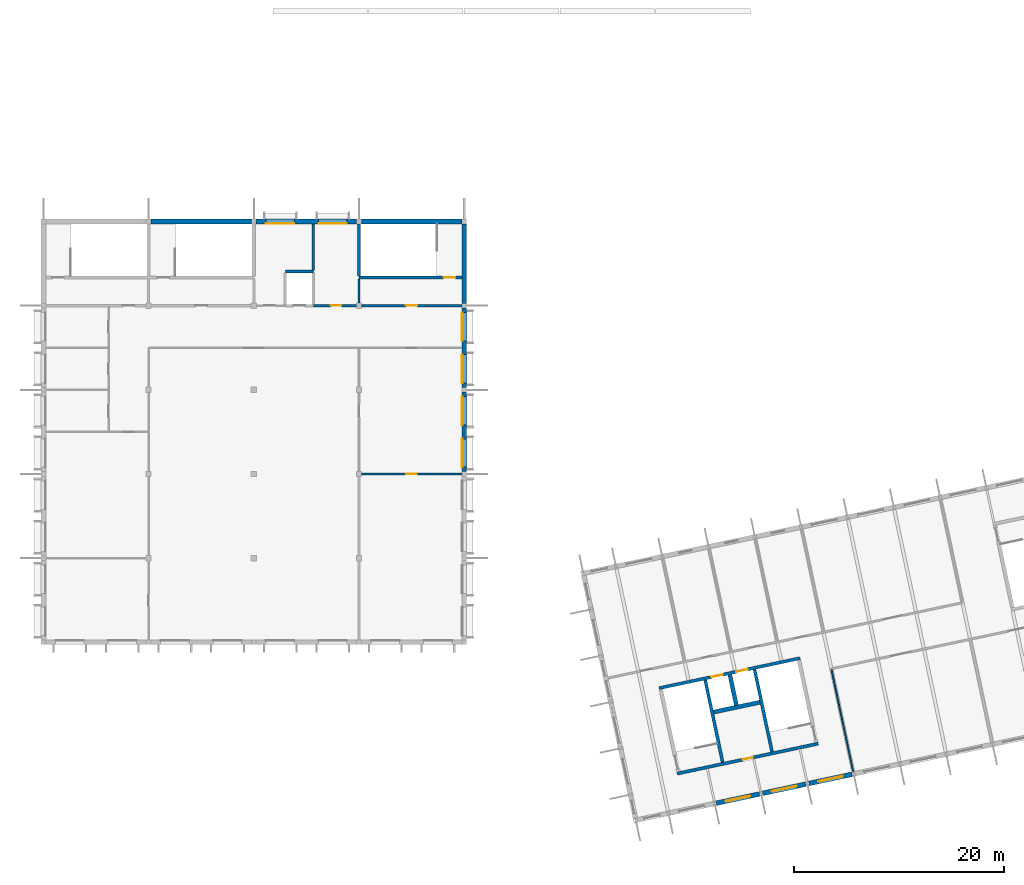
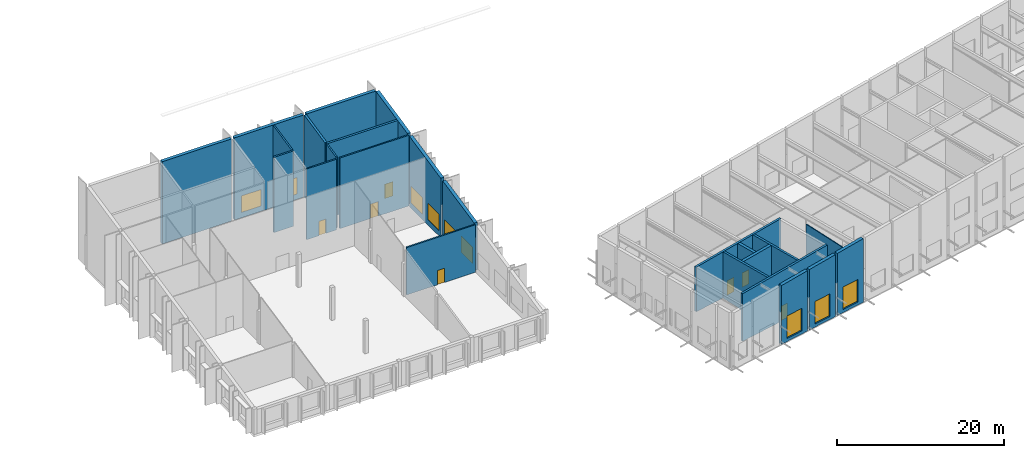
# One storey, part 40 of 69: 24 walls, 9 windows, 7 doors, 16 openings.
"""IFC4 building model written with IfcOpenShell, lengths in metres."""

from ifc_helpers import new_model, si_unit, direction, frame, frame_2d, origin, place, context, subcontext, project, spatial, polyline, rectangle, outline, extrude, material, layer, layer_set, type_object, element, fill, save


model = new_model("IFC4")

# Units and contexts
model_context = context("Model", 3, precision=1e-05, world=origin(), true_north=direction((0.0, 1.0)))
body_context = subcontext(model_context, "Body", "Model", "MODEL_VIEW")
ifc_project = project(units=[si_unit("LENGTHUNIT", "METRE"), si_unit("AREAUNIT", "SQUARE_METRE"), si_unit("VOLUMEUNIT", "CUBIC_METRE"), si_unit("PLANEANGLEUNIT", "RADIAN"), si_unit("MASSUNIT", "GRAM", prefix="KILO")], contexts=[model_context])

# Site, building, storey
site_placement = place(None, origin())
site = spatial("IfcSite", under=ifc_project, at=site_placement, CompositionType="ELEMENT")
building_placement = place(site_placement, origin())
building = spatial("IfcBuilding", under=site, at=building_placement, Name="Okhra Congress Centre", CompositionType="ELEMENT")
storey_placement = place(building_placement, frame((0.0, 0.0, 16.800048828125)))
storey = spatial("IfcBuildingStorey", under=building, at=storey_placement, Name="L03", CompositionType="ELEMENT", Elevation=16.800048828125)

# Wall, openings, windows
ifc_material_1 = material(Name="Insulated metal panel on steel stud (mineral wool, vapour barrier)", Category="steel")
ifc_layer_1 = layer(ifc_material_1, 0.449951171875)
ifc_layer_set_1 = layer_set([ifc_layer_1], Name="Insulated wall 450")
wall_type_1 = type_object("IfcWallType", Name="Insulated wall 450", PredefinedType="SOLIDWALL", material=ifc_layer_set_1)
wall_1_placement = place(storey_placement, frame((46.0, 60.22509765625, 0.0), z_axis=(0.0, 0.0, 1.0), x_axis=(0.0, 1.0, 0.0)))
wall_1 = element("IfcWall", 1, at=wall_1_placement, inside=storey, type_object=wall_type_1, Name="RS.WALL.L03.51", PredefinedType="SOLIDWALL", context=body_context, shape_type="SweptSolid", body=[
    extrude(outline(polyline([(0.0, 0.0), (7.5498046875, 0.0), (7.550048828125, 8.5947265625), (0.0, 6.98974609375), (0.0, 0.0)])), frame((0.0, 0.22509765625, 0.0), z_axis=(0.0, -1.0, 0.0), x_axis=(1.0, 0.0, 0.0)), (0.0, 0.0, 1.0), 0.449951171875),
])
opening_1_placement = place(wall_1_placement, frame((0.425048828125, 0.0, 0.800048828125)))
opening_1 = element("IfcOpeningElement", 2, at=opening_1_placement, cuts=wall_1, Name="Opening WN19", PredefinedType="OPENING", context=body_context, shape_type="SweptSolid", body=[
    extrude(rectangle(XDim=2.699951171875, YDim=2.39990234375, at=frame_2d((1.35009765625, 1.199951171875))), frame((0.0, 0.23486328125, 0.0), z_axis=(0.0, -1.0, 0.0), x_axis=(1.0, 0.0, 0.0)), (0.0, 0.0, 1.0), 0.469970703125),
])
opening_2_placement = place(wall_1_placement, frame((4.425048828125, 0.0, 0.800048828125)))
opening_2 = element("IfcOpeningElement", 3, at=opening_2_placement, cuts=wall_1, Name="Opening WN19", PredefinedType="OPENING", context=body_context, shape_type="SweptSolid", body=[
    extrude(rectangle(XDim=2.699951171875, YDim=2.39990234375, at=frame_2d((1.35009765625, 1.199951171875))), frame((0.0, 0.23486328125, 0.0), z_axis=(0.0, -1.0, 0.0), x_axis=(1.0, 0.0, 0.0)), (0.0, 0.0, 1.0), 0.469970703125),
])
ifc_material_2 = material(Name="Thermally broken aluminium frame, triple glazing", Category="aluminium")
window_type_1 = type_object("IfcWindowType", Name="Fixed window 2700x2400", PartitioningType="SINGLE_PANEL", PredefinedType="WINDOW", material=ifc_material_2)
window_1_placement = place(opening_1_placement, origin())
window_1 = element("IfcWindow", 4, at=window_1_placement, inside=storey, type_object=window_type_1, Name="RS.WIN.L03.23", OverallHeight=2.39990234375, OverallWidth=2.699951171875, PartitioningType="SINGLE_PANEL", PredefinedType="WINDOW", context=body_context, shape_type="SweptSolid", body=[
    extrude(rectangle(XDim=2.699951171875, YDim=2.39990234375, at=frame_2d((1.35009765625, 1.199951171875))), frame((0.0, 0.215087890625, 0.0), z_axis=(0.0, -1.0, 0.0), x_axis=(1.0, 0.0, 0.0)), (0.0, 0.0, 1.0), 0.06005859375),
])
fill(opening_1, window_1)
window_2_placement = place(opening_2_placement, origin())
window_2 = element("IfcWindow", 5, at=window_2_placement, inside=storey, type_object=window_type_1, Name="RS.WIN.L03.24", OverallHeight=2.39990234375, OverallWidth=2.699951171875, PartitioningType="SINGLE_PANEL", PredefinedType="WINDOW", context=body_context, shape_type="SweptSolid", body=[
    extrude(rectangle(XDim=2.699951171875, YDim=2.39990234375, at=frame_2d((1.35009765625, 1.199951171875))), frame((0.0, 0.215087890625, 0.0), z_axis=(0.0, -1.0, 0.0), x_axis=(1.0, 0.0, 0.0)), (0.0, 0.0, 1.0), 0.06005859375),
])
fill(opening_2, window_2)

wall_2_placement = place(storey_placement, frame((46.0, 68.22509765625, 0.0), z_axis=(0.0, 0.0, 1.0), x_axis=(0.0, 1.0, 0.0)))
wall_2 = element("IfcWall", 6, at=wall_2_placement, inside=storey, type_object=wall_type_1, Name="RS.WALL.L03.52", PredefinedType="SOLIDWALL", context=body_context, shape_type="SweptSolid", body=[
    extrude(outline(polyline([(0.0, 0.0), (7.5498046875, 0.0), (7.550048828125, 10.295166015625), (0.0, 8.690185546875), (0.0, 0.0)])), frame((0.0, 0.22509765625, 0.0), z_axis=(0.0, -1.0, 0.0), x_axis=(1.0, 0.0, 0.0)), (0.0, 0.0, 1.0), 0.449951171875),
])
opening_3_placement = place(wall_2_placement, frame((0.425048828125, 0.0, 0.800048828125)))
opening_3 = element("IfcOpeningElement", 7, at=opening_3_placement, cuts=wall_2, Name="Opening WN19", PredefinedType="OPENING", context=body_context, shape_type="SweptSolid", body=[
    extrude(rectangle(XDim=2.699951171875, YDim=2.39990234375, at=frame_2d((1.35009765625, 1.199951171875))), frame((0.0, 0.23486328125, 0.0), z_axis=(0.0, -1.0, 0.0), x_axis=(1.0, 0.0, 0.0)), (0.0, 0.0, 1.0), 0.469970703125),
])
opening_4_placement = place(wall_2_placement, frame((4.425048828125, 0.0, 0.800048828125)))
opening_4 = element("IfcOpeningElement", 8, at=opening_4_placement, cuts=wall_2, Name="Opening WN19", PredefinedType="OPENING", context=body_context, shape_type="SweptSolid", body=[
    extrude(rectangle(XDim=2.699951171875, YDim=2.39990234375, at=frame_2d((1.35009765625, 1.199951171875))), frame((0.0, 0.23486328125, 0.0), z_axis=(0.0, -1.0, 0.0), x_axis=(1.0, 0.0, 0.0)), (0.0, 0.0, 1.0), 0.469970703125),
])
window_3_placement = place(opening_3_placement, origin())
window_3 = element("IfcWindow", 9, at=window_3_placement, inside=storey, type_object=window_type_1, Name="RS.WIN.L03.25", OverallHeight=2.39990234375, OverallWidth=2.699951171875, PartitioningType="SINGLE_PANEL", PredefinedType="WINDOW", context=body_context, shape_type="SweptSolid", body=[
    extrude(rectangle(XDim=2.699951171875, YDim=2.39990234375, at=frame_2d((1.35009765625, 1.199951171875))), frame((0.0, 0.215087890625, 0.0), z_axis=(0.0, -1.0, 0.0), x_axis=(1.0, 0.0, 0.0)), (0.0, 0.0, 1.0), 0.06005859375),
])
fill(opening_3, window_3)
window_4_placement = place(opening_4_placement, origin())
window_4 = element("IfcWindow", 10, at=window_4_placement, inside=storey, type_object=window_type_1, Name="RS.WIN.L03.26", OverallHeight=2.39990234375, OverallWidth=2.699951171875, PartitioningType="SINGLE_PANEL", PredefinedType="WINDOW", context=body_context, shape_type="SweptSolid", body=[
    extrude(rectangle(XDim=2.699951171875, YDim=2.39990234375, at=frame_2d((1.35009765625, 1.199951171875))), frame((0.0, 0.215087890625, 0.0), z_axis=(0.0, -1.0, 0.0), x_axis=(1.0, 0.0, 0.0)), (0.0, 0.0, 1.0), 0.06005859375),
])
fill(opening_4, window_4)

# Wall, opening, window
wall_3_placement = place(storey_placement, frame((69.9609375, 28.711669921875, 0.0), z_axis=(0.0, 0.0, 1.0), x_axis=(0.978146440129, 0.207917150959, 0.0)))
wall_3 = element("IfcWall", 11, at=wall_3_placement, inside=storey, type_object=wall_type_1, Name="External wall S3 L03", PredefinedType="SOLIDWALL", context=body_context, shape_type="SweptSolid", body=[
    extrude(outline(polyline([(0.0, 0.0), (4.2001953125, 0.0), (4.199951171875, 8.834228515625), (0.0, 8.609619140625), (0.0, 0.0)])), frame((0.0, 0.22509765625, 0.0), z_axis=(0.0, -1.0, 0.0), x_axis=(1.0, 0.0, 0.0)), (0.0, 0.0, 1.0), 0.449951171875),
])
opening_5_placement = place(wall_3_placement, frame((0.89990234375, 0.0, 0.449951171875)))
opening_5 = element("IfcOpeningElement", 12, at=opening_5_placement, cuts=wall_3, Name="Opening WN21", PredefinedType="OPENING", context=body_context, shape_type="SweptSolid", body=[
    extrude(rectangle(XDim=2.39990234375, YDim=3.300048828125, at=frame_2d((1.199951171875, 1.64990234375))), frame((0.0, 0.23486328125, 0.0), z_axis=(0.0, -1.0, 0.0), x_axis=(1.0, 0.0, 0.0)), (0.0, 0.0, 1.0), 0.469970703125),
])
window_type_2 = type_object("IfcWindowType", Name="Two-light window 2400x3300", PartitioningType="DOUBLE_PANEL_VERTICAL", PredefinedType="WINDOW", material=ifc_material_2)
window_5_placement = place(opening_5_placement, origin())
window_5 = element("IfcWindow", 13, at=window_5_placement, inside=storey, type_object=window_type_2, Name="BX.WIN.L03.3", OverallHeight=3.300048828125, OverallWidth=2.39990234375, PartitioningType="DOUBLE_PANEL_VERTICAL", PredefinedType="WINDOW", context=body_context, shape_type="SweptSolid", body=[
    extrude(rectangle(XDim=2.39990234375, YDim=3.300048828125, at=frame_2d((1.199951171875, 1.64990234375))), frame((0.0, 0.030029296875, 0.0), z_axis=(0.0, -1.0, 0.0), x_axis=(1.0, 0.0, 0.0)), (0.0, 0.0, 1.0), 0.06005859375),
])
fill(opening_5, window_5)

wall_4_placement = place(storey_placement, frame((74.36279296875, 29.647216796875, 0.0), z_axis=(0.0, 0.0, 1.0), x_axis=(0.978143927149, 0.207928972925, 0.0)))
wall_4 = element("IfcWall", 14, at=wall_4_placement, inside=storey, type_object=wall_type_1, Name="External wall S4 L03", PredefinedType="SOLIDWALL", context=body_context, shape_type="SweptSolid", body=[
    extrude(outline(polyline([(0.0, 0.0), (4.199951171875, 0.0), (4.199951171875, 9.074951171875), (0.0, 8.850341796875), (0.0, 0.0)])), frame((0.0, 0.22509765625, 0.0), z_axis=(0.0, -1.0, 0.0), x_axis=(1.0, 0.0, 0.0)), (0.0, 0.0, 1.0), 0.449951171875),
])
opening_6_placement = place(wall_4_placement, frame((0.89990234375, 0.0, 0.449951171875)))
opening_6 = element("IfcOpeningElement", 15, at=opening_6_placement, cuts=wall_4, Name="Opening WN21", PredefinedType="OPENING", context=body_context, shape_type="SweptSolid", body=[
    extrude(rectangle(XDim=2.39990234375, YDim=3.300048828125, at=frame_2d((1.199951171875, 1.64990234375))), frame((0.0, 0.23486328125, 0.0), z_axis=(0.0, -1.0, 0.0), x_axis=(1.0, 0.0, 0.0)), (0.0, 0.0, 1.0), 0.469970703125),
])
window_6_placement = place(opening_6_placement, origin())
window_6 = element("IfcWindow", 16, at=window_6_placement, inside=storey, type_object=window_type_2, Name="BX.WIN.L03.4", OverallHeight=3.300048828125, OverallWidth=2.39990234375, PartitioningType="DOUBLE_PANEL_VERTICAL", PredefinedType="WINDOW", context=body_context, shape_type="SweptSolid", body=[
    extrude(rectangle(XDim=2.39990234375, YDim=3.300048828125, at=frame_2d((1.199951171875, 1.64990234375))), frame((0.0, 0.030029296875, 0.0), z_axis=(0.0, -1.0, 0.0), x_axis=(1.0, 0.0, 0.0)), (0.0, 0.0, 1.0), 0.06005859375),
])
fill(opening_6, window_6)

wall_5_placement = place(storey_placement, frame((78.764404296875, 30.582763671875, 0.0), z_axis=(0.0, 0.0, 1.0), x_axis=(0.978143927149, 0.207928972925, 0.0)))
wall_5 = element("IfcWall", 17, at=wall_5_placement, inside=storey, type_object=wall_type_1, Name="External wall S5 L03", PredefinedType="SOLIDWALL", context=body_context, shape_type="SweptSolid", body=[
    extrude(outline(polyline([(0.0, 0.0), (4.199951171875, 0.0), (4.199951171875, 9.31591796875), (0.0, 9.091064453125), (0.0, 0.0)])), frame((0.0, 0.22509765625, 0.0), z_axis=(0.0, -1.0, 0.0), x_axis=(1.0, 0.0, 0.0)), (0.0, 0.0, 1.0), 0.449951171875),
])
opening_7_placement = place(wall_5_placement, frame((0.89990234375, 0.0, 0.449951171875)))
opening_7 = element("IfcOpeningElement", 18, at=opening_7_placement, cuts=wall_5, Name="Opening WN21", PredefinedType="OPENING", context=body_context, shape_type="SweptSolid", body=[
    extrude(rectangle(XDim=2.39990234375, YDim=3.300048828125, at=frame_2d((1.199951171875, 1.64990234375))), frame((0.0, 0.23486328125, 0.0), z_axis=(0.0, -1.0, 0.0), x_axis=(1.0, 0.0, 0.0)), (0.0, 0.0, 1.0), 0.469970703125),
])
window_7_placement = place(opening_7_placement, origin())
window_7 = element("IfcWindow", 19, at=window_7_placement, inside=storey, type_object=window_type_2, Name="BX.WIN.L03.5", OverallHeight=3.300048828125, OverallWidth=2.39990234375, PartitioningType="DOUBLE_PANEL_VERTICAL", PredefinedType="WINDOW", context=body_context, shape_type="SweptSolid", body=[
    extrude(rectangle(XDim=2.39990234375, YDim=3.300048828125, at=frame_2d((1.199951171875, 1.64990234375))), frame((0.0, 0.030029296875, 0.0), z_axis=(0.0, -1.0, 0.0), x_axis=(1.0, 0.0, 0.0)), (0.0, 0.0, 1.0), 0.06005859375),
])
fill(opening_7, window_7)

# Wall, openings, windows
ifc_layer_2 = layer(ifc_material_1, 0.449951171875)
ifc_layer_set_2 = layer_set([ifc_layer_2], Name="Insulated wall 450 EI 45")
wall_type_2 = type_object("IfcWallType", Name="Insulated wall 450 EI 45", PredefinedType="SOLIDWALL", material=ifc_layer_set_2)
wall_6_placement = place(storey_placement, frame((35.77490234375, 84.0, 0.0), z_axis=(0.0, 0.0, 1.0), x_axis=(-1.0, 0.0, 0.0)))
wall_6 = element("IfcWall", 20, at=wall_6_placement, inside=storey, type_object=wall_type_2, Name="RS.WALL.L03.23", PredefinedType="SOLIDWALL", context=body_context, shape_type="SweptSolid", body=[
    extrude(rectangle(XDim=9.5498046875, YDim=0.449951171875, at=frame_2d((4.77490234375, 0.0))), origin(), (0.0, 0.0, 1.0), 12.04345703125),
])
opening_8_placement = place(wall_6_placement, frame((5.925048828125, 0.0, 0.800048828125)))
opening_8 = element("IfcOpeningElement", 21, at=opening_8_placement, cuts=wall_6, Name="Opening WN19", PredefinedType="OPENING", context=body_context, shape_type="SweptSolid", body=[
    extrude(rectangle(XDim=2.699951171875, YDim=2.39990234375, at=frame_2d((1.35009765625, 1.199951171875))), frame((0.0, 0.23486328125, 0.0), z_axis=(0.0, -1.0, 0.0), x_axis=(1.0, 0.0, 0.0)), (0.0, 0.0, 1.0), 0.469970703125),
])
opening_9_placement = place(wall_6_placement, frame((0.925048828125, 0.0, 0.800048828125)))
opening_9 = element("IfcOpeningElement", 22, at=opening_9_placement, cuts=wall_6, Name="Opening WN19", PredefinedType="OPENING", context=body_context, shape_type="SweptSolid", body=[
    extrude(rectangle(XDim=2.699951171875, YDim=2.39990234375, at=frame_2d((1.35009765625, 1.199951171875))), frame((0.0, 0.23486328125, 0.0), z_axis=(0.0, -1.0, 0.0), x_axis=(1.0, 0.0, 0.0)), (0.0, 0.0, 1.0), 0.469970703125),
])
window_8_placement = place(opening_8_placement, origin())
window_8 = element("IfcWindow", 23, at=window_8_placement, inside=storey, type_object=window_type_1, Name="RS.WIN.L03.9", OverallHeight=2.39990234375, OverallWidth=2.699951171875, PartitioningType="SINGLE_PANEL", PredefinedType="WINDOW", context=body_context, shape_type="SweptSolid", body=[
    extrude(rectangle(XDim=2.699951171875, YDim=2.39990234375, at=frame_2d((1.35009765625, 1.199951171875))), frame((0.0, 0.215087890625, 0.0), z_axis=(0.0, -1.0, 0.0), x_axis=(1.0, 0.0, 0.0)), (0.0, 0.0, 1.0), 0.06005859375),
])
fill(opening_8, window_8)
window_9_placement = place(opening_9_placement, origin())
window_9 = element("IfcWindow", 24, at=window_9_placement, inside=storey, type_object=window_type_1, Name="RS.WIN.L03.10", OverallHeight=2.39990234375, OverallWidth=2.699951171875, PartitioningType="SINGLE_PANEL", PredefinedType="WINDOW", context=body_context, shape_type="SweptSolid", body=[
    extrude(rectangle(XDim=2.699951171875, YDim=2.39990234375, at=frame_2d((1.35009765625, 1.199951171875))), frame((0.0, 0.215087890625, 0.0), z_axis=(0.0, -1.0, 0.0), x_axis=(1.0, 0.0, 0.0)), (0.0, 0.0, 1.0), 0.06005859375),
])
fill(opening_9, window_9)

# Wall, opening, door
ifc_material_3 = material(Name="Masonry blockwork (aerated concrete D500)", Category="masonry")
ifc_layer_3 = layer(ifc_material_3, 0.199951171875)
ifc_layer_set_3 = layer_set([ifc_layer_3], Name="Masonry block wall 200 EI 45")
wall_type_3 = type_object("IfcWallType", Name="Masonry block wall 200 EI 45", PredefinedType="SOLIDWALL", material=ifc_layer_set_3)
wall_7_placement = place(storey_placement, frame((36.25, 60.0, 0.0), z_axis=(0.0, 0.0, 1.0), x_axis=(1.0, 0.0, 0.0)))
wall_7 = element("IfcWall", 25, at=wall_7_placement, inside=storey, type_object=wall_type_3, Name="RS.WALL.L03.6", PredefinedType="SOLIDWALL", context=body_context, shape_type="SweptSolid", body=[
    extrude(rectangle(XDim=9.52490234375, YDim=0.199951171875, at=frame_2d((4.762451171875, 0.0))), origin(), (0.0, 0.0, 1.0), 6.94189453125),
])
opening_10_placement = place(wall_7_placement, frame((4.25, 0.0, 0.0)))
opening_10 = element("IfcOpeningElement", 26, at=opening_10_placement, cuts=wall_7, Name="Opening L03-015", PredefinedType="OPENING", context=body_context, shape_type="SweptSolid", body=[
    extrude(rectangle(XDim=1.0, YDim=2.10009765625, at=frame_2d((0.5, 1.050048828125))), frame((0.0, 0.10986328125, 0.0), z_axis=(0.0, -1.0, 0.0), x_axis=(1.0, 0.0, 0.0)), (0.0, 0.0, 1.0), 0.219970703125),
])
ifc_material_4 = material(Name="Steel fire door leaf in steel frame, intumescent seals", Category="steel")
door_type_1 = type_object("IfcDoorType", Name="Steel fire door 1000x2100 EI 30", OperationType="NOTDEFINED", PredefinedType="DOOR", material=ifc_material_4)
door_1_placement = place(opening_10_placement, origin())
door_1 = element("IfcDoor", 27, at=door_1_placement, inside=storey, type_object=door_type_1, Name="Door L03-015", OperationType="SINGLE_SWING_LEFT", OverallHeight=2.10009765625, OverallWidth=1.0, PredefinedType="DOOR", context=body_context, shape_type="SweptSolid", body=[
    extrude(rectangle(XDim=1.0, YDim=2.10009765625, at=frame_2d((0.5, 1.050048828125))), frame((0.0, 0.02490234375, 0.0), z_axis=(0.0, -1.0, 0.0), x_axis=(1.0, 0.0, 0.0)), (0.0, 0.0, 1.0), 0.050048828125),
])
fill(opening_10, door_1)

wall_8_placement = place(storey_placement, frame((31.64990234375, 76.0, 0.0), z_axis=(0.0, 0.0, 1.0), x_axis=(1.0, 0.0, 0.0)))
wall_8 = element("IfcWall", 28, at=wall_8_placement, inside=storey, type_object=wall_type_3, Name="RS.WALL.L03.16", PredefinedType="SOLIDWALL", context=body_context, shape_type="SweptSolid", body=[
    extrude(rectangle(XDim=4.10009765625, YDim=0.199951171875, at=frame_2d((2.050048828125, 0.0))), origin(), (0.0, 0.0, 1.0), 10.3427734375),
])
opening_11_placement = place(wall_8_placement, frame((1.675048828125, 0.0, 0.0)))
opening_11 = element("IfcOpeningElement", 29, at=opening_11_placement, cuts=wall_8, Name="Opening L03-017", PredefinedType="OPENING", context=body_context, shape_type="SweptSolid", body=[
    extrude(rectangle(XDim=1.0, YDim=2.10009765625, at=frame_2d((0.5, 1.050048828125))), frame((0.0, 0.10986328125, 0.0), z_axis=(0.0, -1.0, 0.0), x_axis=(1.0, 0.0, 0.0)), (0.0, 0.0, 1.0), 0.219970703125),
])
door_2_placement = place(opening_11_placement, frame((1.0, 0.0, 0.0), z_axis=(0.0, 0.0, 1.0), x_axis=(-1.0, 0.0, 0.0)))
door_2 = element("IfcDoor", 30, at=door_2_placement, inside=storey, type_object=door_type_1, Name="Door L03-017", OperationType="SINGLE_SWING_RIGHT", OverallHeight=2.10009765625, OverallWidth=1.0, PredefinedType="DOOR", context=body_context, shape_type="SweptSolid", body=[
    extrude(rectangle(XDim=1.0, YDim=2.10009765625, at=frame_2d((0.5, 1.050048828125))), frame((0.0, 0.02490234375, 0.0), z_axis=(0.0, -1.0, 0.0), x_axis=(1.0, 0.0, 0.0)), (0.0, 0.0, 1.0), 0.050048828125),
])
fill(opening_11, door_2)

wall_9_placement = place(storey_placement, frame((36.25, 76.0, 0.0), z_axis=(0.0, 0.0, 1.0), x_axis=(1.0, 0.0, 0.0)))
wall_9 = element("IfcWall", 31, at=wall_9_placement, inside=storey, type_object=wall_type_3, Name="RS.WALL.L03.17", PredefinedType="SOLIDWALL", context=body_context, shape_type="SweptSolid", body=[
    extrude(rectangle(XDim=9.52490234375, YDim=0.199951171875, at=frame_2d((4.762451171875, 0.0))), origin(), (0.0, 0.0, 1.0), 10.3427734375),
])
opening_12_placement = place(wall_9_placement, frame((4.199951171875, 0.0, 0.0)))
opening_12 = element("IfcOpeningElement", 32, at=opening_12_placement, cuts=wall_9, Name="Opening L03-005", PredefinedType="OPENING", context=body_context, shape_type="SweptSolid", body=[
    extrude(rectangle(XDim=1.10009765625, YDim=2.10009765625, at=frame_2d((0.550048828125, 1.050048828125))), frame((0.0, 0.10986328125, 0.0), z_axis=(0.0, -1.0, 0.0), x_axis=(1.0, 0.0, 0.0)), (0.0, 0.0, 1.0), 0.219970703125),
])
door_type_2 = type_object("IfcDoorType", Name="Steel fire door 1100x2100 EI 30", OperationType="NOTDEFINED", PredefinedType="DOOR", material=ifc_material_4)
door_3_placement = place(opening_12_placement, origin())
door_3 = element("IfcDoor", 33, at=door_3_placement, inside=storey, type_object=door_type_2, Name="Door L03-005", OperationType="SINGLE_SWING_LEFT", OverallHeight=2.10009765625, OverallWidth=1.10009765625, PredefinedType="DOOR", context=body_context, shape_type="SweptSolid", body=[
    extrude(rectangle(XDim=1.10009765625, YDim=2.10009765625, at=frame_2d((0.550048828125, 1.050048828125))), frame((0.0, 0.02490234375, 0.0), z_axis=(0.0, -1.0, 0.0), x_axis=(1.0, 0.0, 0.0)), (0.0, 0.0, 1.0), 0.050048828125),
])
fill(opening_12, door_3)

# Walls
wall_10_placement = place(storey_placement, frame((31.64990234375, 79.375, 0.0), z_axis=(0.0, 0.0, 1.0), x_axis=(0.0, 1.0, 0.0)))
element("IfcWall", 34, at=wall_10_placement, inside=storey, type_object=wall_type_3, Name="RS.WALL.L03.42", PredefinedType="SOLIDWALL", context=body_context, shape_type="SweptSolid", body=[
    extrude(outline(polyline([(0.0, 0.0), (4.39990234375, 0.0), (4.39990234375, 11.99560546875), (0.0, 11.060302734375), (0.0, 0.0)])), frame((0.0, 0.10009765625, 0.0), z_axis=(0.0, -1.0, 0.0), x_axis=(1.0, 0.0, 0.0)), (0.0, 0.0, 1.0), 0.199951171875),
])
wall_11_placement = place(storey_placement, frame((36.0, 76.25, 0.0), z_axis=(0.0, 0.0, 1.0), x_axis=(0.0, 1.0, 0.0)))
element("IfcWall", 35, at=wall_11_placement, inside=storey, type_object=wall_type_3, Name="RS.WALL.L03.47", PredefinedType="SOLIDWALL", context=body_context, shape_type="SweptSolid", body=[
    extrude(outline(polyline([(0.0, 0.0), (2.27490234375, 0.0), (2.27490234375, 10.879638671875), (0.0, 10.39599609375), (0.0, 0.0)])), frame((0.0, 0.10009765625, 0.0), z_axis=(0.0, -1.0, 0.0), x_axis=(1.0, 0.0, 0.0)), (0.0, 0.0, 1.0), 0.199951171875),
])
ifc_material_5 = material(Name="Gypsum board on steel studs", Category="steel")
ifc_layer_4 = layer(ifc_material_5, 0.125)
ifc_layer_set_4 = layer_set([ifc_layer_4], Name="Partition 125")
wall_type_4 = type_object("IfcWallType", Name="Partition 125", PredefinedType="PARTITIONING", material=ifc_layer_set_4)
wall_12_placement = place(storey_placement, frame((82.972412109375, 31.707275390625, 0.0), z_axis=(0.0, 0.0, 1.0), x_axis=(-0.207904355568, 0.978149159861, 0.0)))
element("IfcWall", 36, at=wall_12_placement, inside=storey, type_object=wall_type_4, Name="Partition S L03", PredefinedType="PARTITIONING", context=body_context, shape_type="SweptSolid", body=[
    extrude(outline(polyline([(0.0, 0.0), (9.925048828125, 0.0), (9.925048828125, 5.97314453125), (0.0, 5.97314453125), (0.0, 0.0)])), frame((0.0, 0.0625, 0.0), z_axis=(0.0, -1.0, 0.0), x_axis=(1.0, 0.0, 0.0)), (0.0, 0.0, 1.0), 0.125),
])

# Wall, opening, door
ifc_material_6 = material(Name="Concrete C35/45", Category="concrete")
ifc_layer_5 = layer(ifc_material_6, 0.300048828125)
ifc_layer_set_5 = layer_set([ifc_layer_5], Name="RC core wall 300 REI 120 C35/45")
wall_type_5 = type_object("IfcWallType", Name="RC core wall 300 REI 120 C35/45", PredefinedType="SHEAR", material=ifc_layer_set_5)
wall_13_placement = place(storey_placement, frame((66.244873046875, 31.525390625, 0.0), z_axis=(0.0, 0.0, 1.0), x_axis=(0.978147662755, 0.20791139903, 0.0)))
wall_13 = element("IfcWall", 37, at=wall_13_placement, inside=storey, type_object=wall_type_5, Name="BX.WALL.L03.K1S", PredefinedType="SHEAR", context=body_context, shape_type="SweptSolid", body=[
    extrude(outline(polyline([(0.0, 0.0), (13.699951171875, 0.0), (13.699951171875, 7.694580078125), (0.0, 6.961669921875), (0.0, 0.0)])), frame((0.0, 0.14990234375, 0.0), z_axis=(0.0, -1.0, 0.0), x_axis=(1.0, 0.0, 0.0)), (0.0, 0.0, 1.0), 0.300048828125),
])
opening_13_placement = place(wall_13_placement, frame((6.35009765625, 0.0, 0.0)))
opening_13 = element("IfcOpeningElement", 38, at=opening_13_placement, cuts=wall_13, Name="Opening L03-023", PredefinedType="OPENING", context=body_context, shape_type="SweptSolid", body=[
    extrude(rectangle(XDim=1.0, YDim=2.10009765625, at=frame_2d((0.5, 1.050048828125))), frame((0.0, 0.159912109375, 0.0), z_axis=(0.0, -1.0, 0.0), x_axis=(1.0, 0.0, 0.0)), (0.0, 0.0, 1.0), 0.320068359375),
])
door_4_placement = place(opening_13_placement, origin())
door_4 = element("IfcDoor", 39, at=door_4_placement, inside=storey, type_object=door_type_1, Name="Door L03-023", OperationType="SINGLE_SWING_RIGHT", OverallHeight=2.10009765625, OverallWidth=1.0, PredefinedType="DOOR", context=body_context, shape_type="SweptSolid", body=[
    extrude(rectangle(XDim=1.0, YDim=2.10009765625, at=frame_2d((0.5, 1.050048828125))), frame((0.0, 0.02490234375, 0.0), z_axis=(0.0, -1.0, 0.0), x_axis=(1.0, 0.0, 0.0)), (0.0, 0.0, 1.0), 0.050048828125),
])
fill(opening_13, door_4)

# Wall, openings, doors
wall_14_placement = place(storey_placement, frame((64.51904296875, 39.64404296875, 0.0), z_axis=(0.0, 0.0, 1.0), x_axis=(0.978147662755, 0.20791139903, 0.0)))
wall_14 = element("IfcWall", 40, at=wall_14_placement, inside=storey, type_object=wall_type_5, Name="BX.WALL.L03.K1T", PredefinedType="SHEAR", context=body_context, shape_type="SweptSolid", body=[
    extrude(outline(polyline([(0.0, 0.0), (13.699951171875, 0.0), (13.699951171875, 7.259765625), (0.0, 6.526611328125), (0.0, 0.0)])), frame((0.0, 0.14990234375, 0.0), z_axis=(0.0, -1.0, 0.0), x_axis=(1.0, 0.0, 0.0)), (0.0, 0.0, 1.0), 0.300048828125),
])
opening_14_placement = place(wall_14_placement, frame((5.10009765625, 0.0, 0.0)))
opening_14 = element("IfcOpeningElement", 41, at=opening_14_placement, cuts=wall_14, Name="Opening L03-019", PredefinedType="OPENING", context=body_context, shape_type="SweptSolid", body=[
    extrude(rectangle(XDim=1.10009765625, YDim=2.10009765625, at=frame_2d((0.550048828125, 1.050048828125))), frame((0.0, 0.159912109375, 0.0), z_axis=(0.0, -1.0, 0.0), x_axis=(1.0, 0.0, 0.0)), (0.0, 0.0, 1.0), 0.320068359375),
])
opening_15_placement = place(wall_14_placement, frame((7.5, 0.0, 0.0)))
opening_15 = element("IfcOpeningElement", 42, at=opening_15_placement, cuts=wall_14, Name="Opening L03-020", PredefinedType="OPENING", context=body_context, shape_type="SweptSolid", body=[
    extrude(rectangle(XDim=1.10009765625, YDim=2.10009765625, at=frame_2d((0.550048828125, 1.050048828125))), frame((0.0, 0.159912109375, 0.0), z_axis=(0.0, -1.0, 0.0), x_axis=(1.0, 0.0, 0.0)), (0.0, 0.0, 1.0), 0.320068359375),
])
ifc_material_7 = material(Name="Stainless steel sliding landing door leaves", Category="steel")
door_type_3 = type_object("IfcDoorType", Name="Lift landing door 1100x2100 EI 30", OperationType="DOUBLE_DOOR_SLIDING", PredefinedType="DOOR", material=ifc_material_7)
door_5_placement = place(opening_14_placement, origin())
door_5 = element("IfcDoor", 43, at=door_5_placement, inside=storey, type_object=door_type_3, Name="Door L03-019", OperationType="DOUBLE_DOOR_SLIDING", OverallHeight=2.10009765625, OverallWidth=1.10009765625, PredefinedType="DOOR", context=body_context, shape_type="SweptSolid", body=[
    extrude(rectangle(XDim=1.10009765625, YDim=2.10009765625, at=frame_2d((0.550048828125, 1.050048828125))), frame((0.0, 0.02490234375, 0.0), z_axis=(0.0, -1.0, 0.0), x_axis=(1.0, 0.0, 0.0)), (0.0, 0.0, 1.0), 0.050048828125),
])
fill(opening_14, door_5)
door_6_placement = place(opening_15_placement, origin())
door_6 = element("IfcDoor", 44, at=door_6_placement, inside=storey, type_object=door_type_3, Name="Door L03-020", OperationType="DOUBLE_DOOR_SLIDING", OverallHeight=2.10009765625, OverallWidth=1.10009765625, PredefinedType="DOOR", context=body_context, shape_type="SweptSolid", body=[
    extrude(rectangle(XDim=1.10009765625, YDim=2.10009765625, at=frame_2d((0.550048828125, 1.050048828125))), frame((0.0, 0.02490234375, 0.0), z_axis=(0.0, -1.0, 0.0), x_axis=(1.0, 0.0, 0.0)), (0.0, 0.0, 1.0), 0.050048828125),
])
fill(opening_15, door_6)

# Walls
wall_15_placement = place(storey_placement, frame((70.56640625, 32.597412109375, 0.0), z_axis=(0.0, 0.0, 1.0), x_axis=(-0.207915693476, 0.978146749934, 0.0)))
element("IfcWall", 45, at=wall_15_placement, inside=storey, type_object=wall_type_5, Name="BX.WALL.L03.K1P1", PredefinedType="SHEAR", context=body_context, shape_type="SweptSolid", body=[
    extrude(outline(polyline([(0.0, 0.0), (8.0, 0.0), (8.0, 6.772705078125), (0.0, 7.19189453125), (0.0, 0.0)])), frame((0.0, 0.14990234375, 0.0), z_axis=(0.0, -1.0, 0.0), x_axis=(1.0, 0.0, 0.0)), (0.0, 0.0, 1.0), 0.300048828125),
])
wall_16_placement = place(storey_placement, frame((75.261474609375, 33.595458984375, 0.0), z_axis=(0.0, 0.0, 1.0), x_axis=(-0.207915693476, 0.978146749934, 0.0)))
element("IfcWall", 46, at=wall_16_placement, inside=storey, type_object=wall_type_5, Name="BX.WALL.L03.K1P2", PredefinedType="SHEAR", context=body_context, shape_type="SweptSolid", body=[
    extrude(outline(polyline([(0.0, 0.0), (8.0, 0.0), (8.0, 7.029541015625), (0.0, 7.44873046875), (0.0, 0.0)])), frame((0.0, 0.14990234375, 0.0), z_axis=(0.0, -1.0, 0.0), x_axis=(1.0, 0.0, 0.0)), (0.0, 0.0, 1.0), 0.300048828125),
])

# Wall, opening, door
wall_17_placement = place(storey_placement, frame((36.0, 78.675048828125, 0.0), z_axis=(0.0, 0.0, 1.0), x_axis=(1.0, 0.0, 0.0)))
wall_17 = element("IfcWall", 47, at=wall_17_placement, inside=storey, type_object=wall_type_5, Name="RS.WALL.L03.19", PredefinedType="SHEAR", context=body_context, shape_type="SweptSolid", body=[
    extrude(rectangle(XDim=9.77490234375, YDim=0.300048828125, at=frame_2d((4.887451171875, 0.0))), origin(), (0.0, 0.0, 1.0), 10.911376953125),
])
opening_16_placement = place(wall_17_placement, frame((8.050048828125, 0.0, 0.0)))
opening_16 = element("IfcOpeningElement", 48, at=opening_16_placement, cuts=wall_17, Name="Opening L03-006", PredefinedType="OPENING", context=body_context, shape_type="SweptSolid", body=[
    extrude(rectangle(XDim=1.10009765625, YDim=2.10009765625, at=frame_2d((0.550048828125, 1.050048828125))), frame((0.0, 0.159912109375, 0.0), z_axis=(0.0, -1.0, 0.0), x_axis=(1.0, 0.0, 0.0)), (0.0, 0.0, 1.0), 0.320068359375),
])
door_7_placement = place(opening_16_placement, origin())
door_7 = element("IfcDoor", 49, at=door_7_placement, inside=storey, type_object=door_type_2, Name="Door L03-006", OperationType="SINGLE_SWING_RIGHT", OverallHeight=2.10009765625, OverallWidth=1.10009765625, PredefinedType="DOOR", context=body_context, shape_type="SweptSolid", body=[
    extrude(rectangle(XDim=1.10009765625, YDim=2.10009765625, at=frame_2d((0.550048828125, 1.050048828125))), frame((0.0, 0.02490234375, 0.0), z_axis=(0.0, -1.0, 0.0), x_axis=(1.0, 0.0, 0.0)), (0.0, 0.0, 1.0), 0.050048828125),
])
fill(opening_16, door_7)

# Walls
wall_18_placement = place(storey_placement, frame((36.0, 78.824951171875, 0.0), z_axis=(0.0, 0.0, 1.0), x_axis=(0.0, 1.0, 0.0)))
element("IfcWall", 50, at=wall_18_placement, inside=storey, type_object=wall_type_5, Name="RS.WALL.L03.48", PredefinedType="SHEAR", context=body_context, shape_type="SweptSolid", body=[
    extrude(outline(polyline([(0.0, 0.0), (4.949951171875, 0.0), (4.949951171875, 11.99560546875), (0.0, 10.943359375), (0.0, 0.0)])), frame((0.0, 0.14990234375, 0.0), z_axis=(0.0, -1.0, 0.0), x_axis=(1.0, 0.0, 0.0)), (0.0, 0.0, 1.0), 0.300048828125),
])
ifc_layer_6 = layer(ifc_material_6, 0.39990234375)
ifc_layer_set_6 = layer_set([ifc_layer_6], Name="RC core wall 400 REI 120 C35/45")
wall_type_6 = type_object("IfcWallType", Name="RC core wall 400 REI 120 C35/45", PredefinedType="SHEAR", material=ifc_layer_set_6)
wall_19_placement = place(storey_placement, frame((71.874267578125, 37.987060546875, 0.0), z_axis=(0.0, 0.0, 1.0), x_axis=(-0.20783929028, 0.978162987143, 0.0)))
element("IfcWall", 51, at=wall_19_placement, inside=storey, type_object=wall_type_6, Name="BX.WALL.L03.K1D", PredefinedType="SHEAR", context=body_context, shape_type="SweptSolid", body=[
    extrude(outline(polyline([(0.0, 0.0), (3.0, 0.0), (3.0, 6.901123046875), (0.0, 7.058349609375), (0.0, 0.0)])), frame((0.0, 0.199951171875, 0.0), z_axis=(0.0, -1.0, 0.0), x_axis=(1.0, 0.0, 0.0)), (0.0, 0.0, 1.0), 0.39990234375),
])
wall_20_placement = place(storey_placement, frame((69.704833984375, 37.37255859375, 0.0), z_axis=(0.0, 0.0, 1.0), x_axis=(0.978149611564, 0.20790223038, 0.0)))
element("IfcWall", 52, at=wall_20_placement, inside=storey, type_object=wall_type_6, Name="BX.WALL.L03.K1R", PredefinedType="SHEAR", context=body_context, shape_type="SweptSolid", body=[
    extrude(outline(polyline([(0.0, 0.0), (4.5, 0.0), (4.5, 7.1865234375), (0.0, 6.94580078125), (0.0, 0.0)])), frame((0.0, 0.199951171875, 0.0), z_axis=(0.0, -1.0, 0.0), x_axis=(1.0, 0.0, 0.0)), (0.0, 0.0, 1.0), 0.39990234375),
])
ifc_material_8 = material(Name="Concrete C30/37", Category="concrete")
ifc_layer_7 = layer(ifc_material_8, 0.449951171875)
ifc_layer_set_7 = layer_set([ifc_layer_7], Name="RC facade wall 450 REI 120 C30/37")
wall_type_7 = type_object("IfcWallType", Name="RC facade wall 450 REI 120 C30/37", PredefinedType="SOLIDWALL", material=ifc_layer_set_7)
for number, where, z_axis, x_axis, name in (
    (53, (25.77490234375, 84.0, 0.0), (0.0, 0.0, 1.0), (-1.0, 0.0, 0.0), "RS.WALL.L03.22"),
    (54, (45.77490234375, 84.0, 0.0), (0.0, 0.0, 1.0), (-1.0, 0.0, 0.0), "RS.WALL.L03.24"),
):
    element("IfcWall", number, at=place(storey_placement, frame(where, z_axis=z_axis, x_axis=x_axis)), inside=storey, type_object=wall_type_7, Name=name, PredefinedType="SOLIDWALL", context=body_context, shape_type="SweptSolid", body=[
        extrude(rectangle(XDim=9.5498046875, YDim=0.449951171875, at=frame_2d((4.77490234375, 0.0))), origin(), (0.0, 0.0, 1.0), 12.04345703125),
    ])
wall_21_placement = place(storey_placement, frame((46.0, 76.22509765625, 0.0), z_axis=(0.0, 0.0, 1.0), x_axis=(0.0, 1.0, 0.0)))
element("IfcWall", 55, at=wall_21_placement, inside=storey, type_object=wall_type_7, Name="RS.WALL.L03.53", PredefinedType="SOLIDWALL", context=body_context, shape_type="SweptSolid", body=[
    extrude(outline(polyline([(0.0, 0.0), (7.5498046875, 0.0), (7.550048828125, 11.99560546875), (0.0, 10.390625), (0.0, 0.0)])), frame((0.0, 0.22509765625, 0.0), z_axis=(0.0, -1.0, 0.0), x_axis=(1.0, 0.0, 0.0)), (0.0, 0.0, 1.0), 0.449951171875),
])
ifc_layer_8 = layer(ifc_material_8, 0.25)
ifc_layer_set_8 = layer_set([ifc_layer_8], Name="RC wall 250 REI 120 C30/37")
wall_type_8 = type_object("IfcWallType", Name="RC wall 250 REI 120 C30/37", PredefinedType="SOLIDWALL", material=ifc_layer_set_8)
wall_22_placement = place(storey_placement, frame((29.0, 79.25, 0.0), z_axis=(0.0, 0.0, 1.0), x_axis=(1.0, 0.0, 0.0)))
element("IfcWall", 56, at=wall_22_placement, inside=storey, type_object=wall_type_8, Name="RS.WALL.L03.20", PredefinedType="SOLIDWALL", context=body_context, shape_type="SweptSolid", body=[
    extrude(rectangle(XDim=2.64990234375, YDim=0.25, at=frame_2d((1.324951171875, 0.0))), origin(), (0.0, 0.0, 1.0), 11.03369140625),
])

save(model, "model.ifc")
